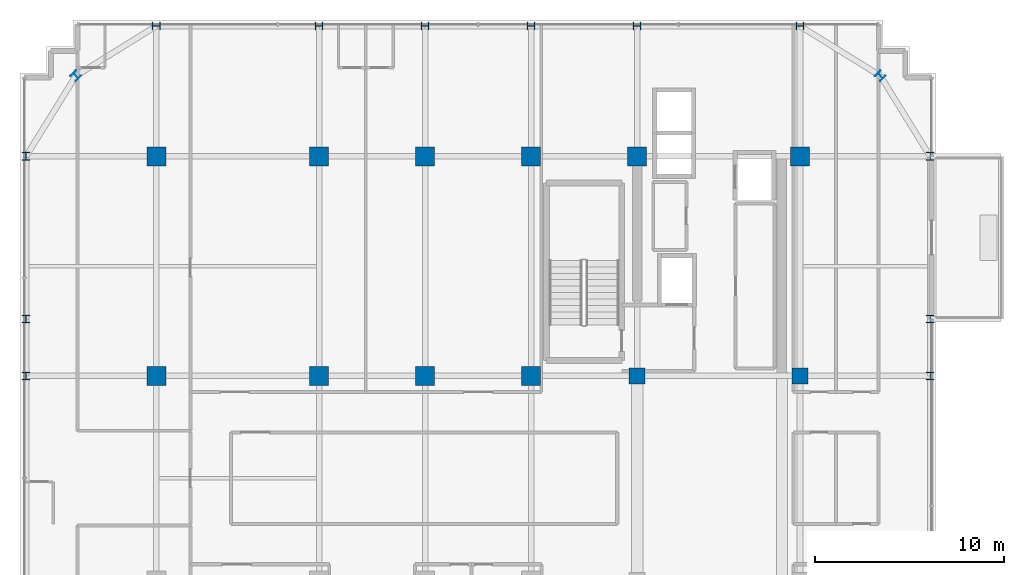
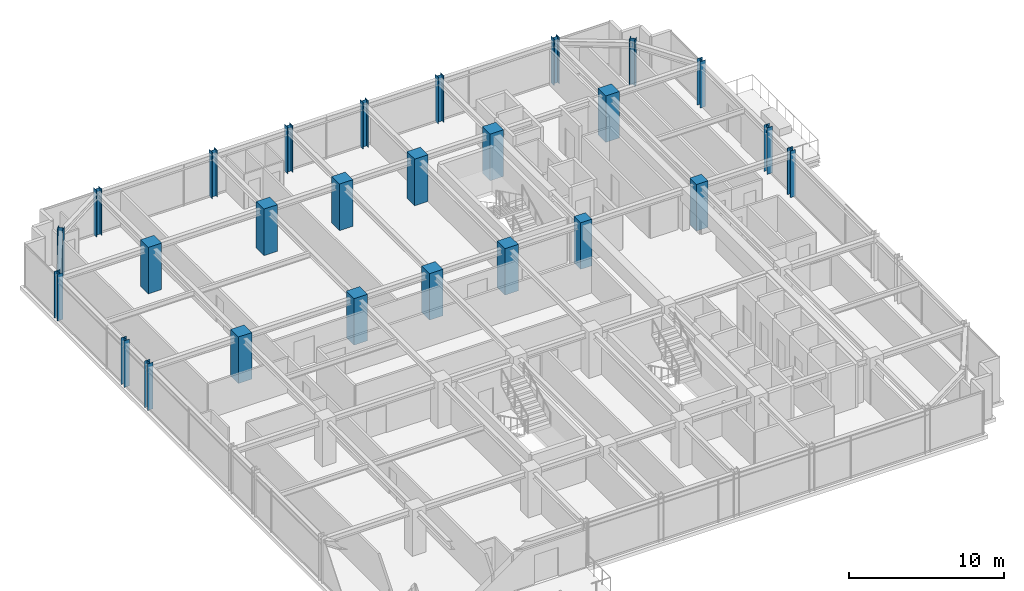
# One storey, part 2 of 34: 26 columns.
"""IFC4 building model written with IfcOpenShell, lengths in metres."""

from ifc_helpers import new_model, si_unit, direction, frame, origin, origin_2d, place, context, subcontext, project, spatial, rectangle, i_section, extrude, source, transform, mapped, material, material_profile, profile_set, type_object, element, save


model = new_model("IFC4")

# Units and contexts
model_context = context("Model", 3, precision=1e-05, world=origin(), true_north=direction((0.0, 1.0)))
body_context = subcontext(model_context, "Body", "Model", "MODEL_VIEW")
ifc_project = project(units=[si_unit("LENGTHUNIT", "METRE"), si_unit("AREAUNIT", "SQUARE_METRE"), si_unit("VOLUMEUNIT", "CUBIC_METRE"), si_unit("PLANEANGLEUNIT", "RADIAN"), si_unit("MASSUNIT", "GRAM", prefix="KILO")], contexts=[model_context])

# Site, building, storey
site_placement = place(None, origin())
site = spatial("IfcSite", under=ifc_project, at=site_placement, CompositionType="ELEMENT")
building_placement = place(site_placement, origin())
building = spatial("IfcBuilding", under=site, at=building_placement, Name="Nahalor Promenade Grand Hotel", CompositionType="ELEMENT")
storey_placement = place(building_placement, frame((0.0, 0.0, 238.199951171875)))
storey = spatial("IfcBuildingStorey", under=building, at=storey_placement, Name="L61", CompositionType="ELEMENT", Elevation=238.199951171875)

# Columns
ifc_material_1 = material(Name="Concrete B-60 (C50/60)", Category="concrete")
ifc_material_profile_1 = material_profile(ifc_material_1, rectangle(XDim=1.0, YDim=1.0, at=origin_2d()), Name="RC 1000x1000")
ifc_profile_set_1 = profile_set([ifc_material_profile_1], Name="Concrete B-60 (C50/60)")
column_type_1 = type_object("IfcColumnType", Name="Col-RC-1000", PredefinedType="COLUMN", material=ifc_profile_set_1)
shared_shape_1 = source(origin(), body_context, "Body", "SweptSolid", [
    extrude(rectangle(XDim=1.0, YDim=1.0, at=origin_2d()), origin(), (0.0, 0.0, 1.0), 3.655029296875),
])
for number, where, z_axis, x_axis, name in (
    (1, (-17.0, 5.39990234375, 0.0), (0.0, 0.0, 1.0), (1.0, 0.0, 0.0), "COL-L61-I02"),
    (2, (-17.0, 17.0, 0.0), (0.0, 0.0, 1.0), (1.0, 0.0, 0.0), "COL-L61-I03"),
    (3, (-8.39990234375, 5.39990234375, 0.0), (0.0, 0.0, 1.0), (1.0, 0.0, 0.0), "COL-L61-I12"),
    (4, (-8.39990234375, 17.0, 0.0), (0.0, 0.0, 1.0), (1.0, 0.0, 0.0), "COL-L61-I13"),
    (5, (-2.800048828125, 5.39990234375, 0.0), (0.0, 0.0, 1.0), (1.0, 0.0, 0.0), "COL-L61-I22"),
    (6, (-2.800048828125, 17.0, 0.0), (0.0, 0.0, 1.0), (1.0, 0.0, 0.0), "COL-L61-I23"),
    (7, (2.800048828125, 5.39990234375, 0.0), (0.0, 0.0, 1.0), (1.0, 0.0, 0.0), "COL-L61-I32"),
    (8, (2.800048828125, 17.0, 0.0), (0.0, 0.0, 1.0), (1.0, 0.0, 0.0), "COL-L61-I33"),
    (9, (8.39990234375, 17.0, 0.0), (0.0, 0.0, 1.0), (1.0, 0.0, 0.0), "COL-L61-I43"),
    (10, (17.0, 17.0, 0.0), (0.0, 0.0, 1.0), (1.0, 0.0, 0.0), "COL-L61-I53"),
):
    element("IfcColumn", number, at=place(storey_placement, frame(where, z_axis=z_axis, x_axis=x_axis)), inside=storey, type_object=column_type_1, Name=name, PredefinedType="COLUMN", context=body_context, shape_type="MappedRepresentation", body=[
        mapped(shared_shape_1, transform((0.0, 0.0, 0.0), scale=1.0)),
    ])
ifc_material_2 = material(Name="Concrete B-70 (C60/75)", Category="concrete")
ifc_material_profile_2 = material_profile(ifc_material_2, rectangle(XDim=0.85, YDim=0.85, at=origin_2d()), Name="RC 850x850")
ifc_profile_set_2 = profile_set([ifc_material_profile_2], Name="Concrete B-70 (C60/75)")
column_type_2 = type_object("IfcColumnType", Name="Col-Pilaster-850", PredefinedType="PILASTER", material=ifc_profile_set_2)
shared_shape_2 = source(origin(), body_context, "Body", "SweptSolid", [
    extrude(rectangle(XDim=0.85, YDim=0.85, at=origin_2d()), origin(), (0.0, 0.0, 1.0), 3.655029296875),
])
for number, where, z_axis, x_axis, name in (
    (11, (8.39990234375, 5.39990234375, 0.0), (0.0, 0.0, 1.0), (1.0, 0.0, 0.0), "COL-L61-I42"),
    (12, (17.0, 5.39990234375, 0.0), (0.0, 0.0, 1.0), (1.0, 0.0, 0.0), "COL-L61-I52"),
):
    element("IfcColumn", number, at=place(storey_placement, frame(where, z_axis=z_axis, x_axis=x_axis)), inside=storey, type_object=column_type_2, Name=name, PredefinedType="PILASTER", context=body_context, shape_type="MappedRepresentation", body=[
        mapped(shared_shape_2, transform((0.0, 0.0, 0.0), scale=1.0)),
    ])
ifc_material_3 = material(Name="Steel S355JR", Category="steel")
ifc_material_profile_3 = material_profile(ifc_material_3, i_section(OverallWidth=0.401, OverallDepth=0.406, WebThickness=0.0161, FlangeThickness=0.025, at=origin_2d()), Name="HD 400x314")
ifc_profile_set_3 = profile_set([ifc_material_profile_3], Name="Steel S355JR")
column_type_3 = type_object("IfcColumnType", Name="Col-Steel-HD314", PredefinedType="COLUMN", material=ifc_profile_set_3)
shared_shape_3 = source(origin(), body_context, "Body", "SweptSolid", [
    extrude(i_section(OverallWidth=0.401, OverallDepth=0.406, WebThickness=0.0161, FlangeThickness=0.025, at=origin_2d()), origin(), (0.0, 0.0, 1.0), 3.655029296875),
])
for number, where, z_axis, x_axis, name in (
    (13, (-23.8798828125, 5.39990234375, 0.0), (0.0, 0.0, 1.0), (1.0, 0.0, 0.0), "COL-L61-PW-W3"),
    (14, (23.8798828125, 5.39990234375, 0.0), (0.0, 0.0, 1.0), (1.0, 0.0, 0.0), "COL-L61-PW-E3"),
    (15, (-23.8798828125, 8.39990234375, 0.0), (0.0, 0.0, 1.0), (1.0, 0.0, 0.0), "COL-L61-PW-W4"),
    (16, (23.8798828125, 8.39990234375, 0.0), (0.0, 0.0, 1.0), (1.0, 0.0, 0.0), "COL-L61-PW-E4"),
    (17, (-23.8798828125, 17.0, 0.0), (0.0, 0.0, 1.0), (1.0, 0.0, 0.0), "COL-L61-PW-W5"),
    (18, (23.8798828125, 17.0, 0.0), (0.0, 0.0, 1.0), (1.0, 0.0, 0.0), "COL-L61-PW-E5"),
    (19, (-17.0, 23.8798828125, 0.0), (0.0, 0.0, 1.0), (0.0, 1.0, 0.0), "COL-L61-PN-N0"),
    (20, (-8.39990234375, 23.8798828125, 0.0), (0.0, 0.0, 1.0), (0.0, 1.0, 0.0), "COL-L61-PN-N1"),
    (21, (-2.800048828125, 23.8798828125, 0.0), (0.0, 0.0, 1.0), (0.0, 1.0, 0.0), "COL-L61-PN-N2"),
    (22, (2.800048828125, 23.8798828125, 0.0), (0.0, 0.0, 1.0), (0.0, 1.0, 0.0), "COL-L61-PN-N3"),
    (23, (8.39990234375, 23.8798828125, 0.0), (0.0, 0.0, 1.0), (0.0, 1.0, 0.0), "COL-L61-PN-N4"),
    (24, (17.0, 23.8798828125, 0.0), (0.0, 0.0, 1.0), (0.0, 1.0, 0.0), "COL-L61-PN-N5"),
    (25, (-21.25, 21.25, 0.0), (0.0, 0.0, 1.0), (0.707106781187, 0.707106781187, 0.0), "COL-L61-CRN-NW"),
    (26, (21.25, 21.25, 0.0), (0.0, 0.0, 1.0), (0.707106781187, 0.707106781187, 0.0), "COL-L61-CRN-NE"),
):
    element("IfcColumn", number, at=place(storey_placement, frame(where, z_axis=z_axis, x_axis=x_axis)), inside=storey, type_object=column_type_3, Name=name, PredefinedType="COLUMN", context=body_context, shape_type="MappedRepresentation", body=[
        mapped(shared_shape_3, transform((0.0, 0.0, 0.0), scale=1.0)),
    ])

save(model, "model.ifc")
